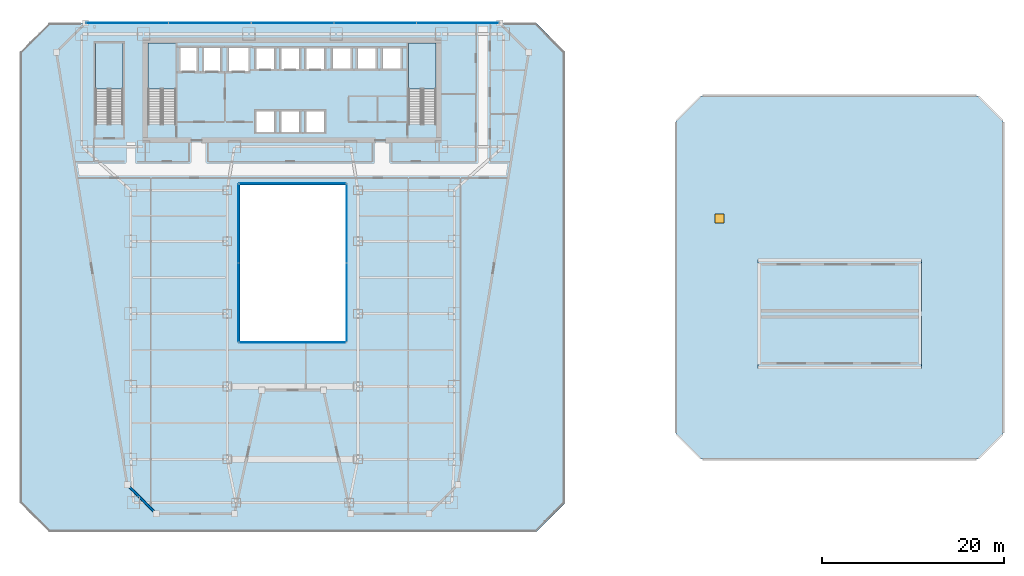
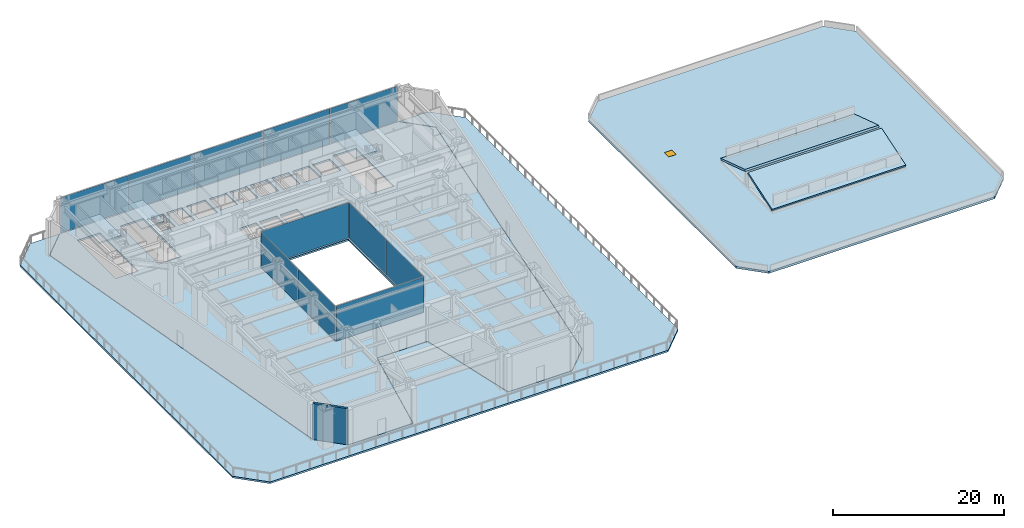
# One storey, part 20 of 29: 11 plates, 8 slabs, 1 wall, 1 window, 1 opening, 8 elements without a shape of their own.
"""IFC4 building model written with IfcOpenShell, lengths in metres."""

from ifc_helpers import new_model, si_unit, direction, frame, frame_2d, origin, origin_2d, place, context, subcontext, project, spatial, polyline, rectangle, outline, extrude, material, layer, layer_set, type_object, element, fill, aggregate, save


model = new_model("IFC4")

# Units and contexts
model_context = context("Model", 3, precision=1e-05, world=origin(), true_north=direction((0.0, 1.0)))
body_context = subcontext(model_context, "Body", "Model", "MODEL_VIEW")
ifc_project = project(units=[si_unit("LENGTHUNIT", "METRE"), si_unit("AREAUNIT", "SQUARE_METRE"), si_unit("VOLUMEUNIT", "CUBIC_METRE"), si_unit("PLANEANGLEUNIT", "RADIAN"), si_unit("MASSUNIT", "GRAM", prefix="KILO")], contexts=[model_context])

# Site, building, storey
site_placement = place(None, origin())
site = spatial("IfcSite", under=ifc_project, at=site_placement, CompositionType="ELEMENT")
building_placement = place(site_placement, origin())
building = spatial("IfcBuilding", under=site, at=building_placement, Name="Saevonmaru Cultural Tower", CompositionType="ELEMENT")
storey_placement = place(building_placement, frame((0.0, 0.0, 27.60009765625)))
storey = spatial("IfcBuildingStorey", under=building, at=storey_placement, Name="L05", CompositionType="ELEMENT", Elevation=27.60009765625)

# Curtain wall, plate
ifc_material_1 = material(Name="Satin Bronze Anodised Aluminium", Category="aluminium")
curtain_wall_type_1 = type_object("IfcCurtainWallType", Name="CW-ATR-GLZ", PredefinedType="NOTDEFINED", material=ifc_material_1)
curtain_wall_1_placement = place(storey_placement, origin())
curtain_wall_1 = element("IfcCurtainWall", 1, at=curtain_wall_1_placement, inside=storey, type_object=curtain_wall_type_1, Name="L05 Vertical Atrium Glazed Smoke Screen 1", PredefinedType="NOTDEFINED")
ifc_material_2 = material(Name="Fire-Rated Laminated Atrium Glass", Category="glass")
ifc_layer_1 = layer(ifc_material_2, 0.031982421875, Name="Fire-Rated Laminated Atrium Glass")
ifc_layer_set_1 = layer_set([ifc_layer_1], Name="Fire-Rated Laminated Atrium Glass")
plate_type_1 = type_object("IfcPlateType", Name="PN-GLZ-ATR-INT", PredefinedType="CURTAIN_PANEL", material=ifc_layer_set_1)
plate_1_placement = place(storey_placement, frame((30.0, 20.85009765625, 0.06689453125), z_axis=(0.0, 0.0, 1.0), x_axis=(1.0, 0.0, 0.0)))
plate_1 = element("IfcPlate", 2, at=plate_1_placement, type_object=plate_type_1, Name="CW-ATR-L05-1 panel 1.1", PredefinedType="CURTAIN_PANEL", context=body_context, shape_type="SweptSolid", body=[
    extrude(rectangle(XDim=11.7109375, YDim=0.031982421875, at=origin_2d()), origin(), (0.0, 0.0, 1.0), 5.01611328125),
])
aggregate(curtain_wall_1, [plate_1])

# Curtain wall, plates
curtain_wall_2_placement = place(storey_placement, origin())
curtain_wall_2 = element("IfcCurtainWall", 3, at=curtain_wall_2_placement, inside=storey, type_object=curtain_wall_type_1, Name="L05 Vertical Atrium Glazed Smoke Screen 2", PredefinedType="NOTDEFINED")
plate_2_placement = place(storey_placement, frame((35.949951171875, 25.2548828125, 0.06689453125), z_axis=(0.0, 0.0, 1.0), x_axis=(0.0, 1.0, 0.0)))
plate_2 = element("IfcPlate", 4, at=plate_2_placement, type_object=plate_type_1, Name="CW-ATR-L05-2 panel 1.1", PredefinedType="CURTAIN_PANEL", context=body_context, shape_type="SweptSolid", body=[
    extrude(rectangle(XDim=8.62109375, YDim=0.031982421875, at=origin_2d()), origin(), (0.0, 0.0, 1.0), 5.01611328125),
])
plate_3_placement = place(storey_placement, frame((35.949951171875, 33.945068359375, 0.06689453125), z_axis=(0.0, 0.0, 1.0), x_axis=(0.0, 1.0, 0.0)))
plate_3 = element("IfcPlate", 5, at=plate_3_placement, type_object=plate_type_1, Name="CW-ATR-L05-2 panel 2.1", PredefinedType="CURTAIN_PANEL", context=body_context, shape_type="SweptSolid", body=[
    extrude(rectangle(XDim=8.62109375, YDim=0.031982421875, at=origin_2d()), origin(), (0.0, 0.0, 1.0), 5.01611328125),
])
aggregate(curtain_wall_2, [plate_2, plate_3])

# Curtain wall, plate
curtain_wall_3_placement = place(storey_placement, origin())
curtain_wall_3 = element("IfcCurtainWall", 6, at=curtain_wall_3_placement, inside=storey, type_object=curtain_wall_type_1, Name="L05 Vertical Atrium Glazed Smoke Screen 3", PredefinedType="NOTDEFINED")
plate_4_placement = place(storey_placement, frame((30.0, 38.35009765625, 0.06689453125), z_axis=(0.0, 0.0, 1.0), x_axis=(-1.0, 0.0, 0.0)))
plate_4 = element("IfcPlate", 7, at=plate_4_placement, type_object=plate_type_1, Name="CW-ATR-L05-3 panel 1.1", PredefinedType="CURTAIN_PANEL", context=body_context, shape_type="SweptSolid", body=[
    extrude(rectangle(XDim=11.7109375, YDim=0.031982421875, at=origin_2d()), origin(), (0.0, 0.0, 1.0), 5.01611328125),
])
aggregate(curtain_wall_3, [plate_4])

# Curtain wall, plates
curtain_wall_4_placement = place(storey_placement, origin())
curtain_wall_4 = element("IfcCurtainWall", 8, at=curtain_wall_4_placement, inside=storey, type_object=curtain_wall_type_1, Name="L05 Vertical Atrium Glazed Smoke Screen 4", PredefinedType="NOTDEFINED")
plate_5_placement = place(storey_placement, frame((24.050048828125, 33.945068359375, 0.06689453125), z_axis=(0.0, 0.0, 1.0), x_axis=(0.0, -1.0, 0.0)))
plate_5 = element("IfcPlate", 9, at=plate_5_placement, type_object=plate_type_1, Name="CW-ATR-L05-4 panel 1.1", PredefinedType="CURTAIN_PANEL", context=body_context, shape_type="SweptSolid", body=[
    extrude(rectangle(XDim=8.62109375, YDim=0.031982421875, at=origin_2d()), origin(), (0.0, 0.0, 1.0), 5.01611328125),
])
plate_6_placement = place(storey_placement, frame((24.050048828125, 25.2548828125, 0.06689453125), z_axis=(0.0, 0.0, 1.0), x_axis=(0.0, -1.0, 0.0)))
plate_6 = element("IfcPlate", 10, at=plate_6_placement, type_object=plate_type_1, Name="CW-ATR-L05-4 panel 2.1", PredefinedType="CURTAIN_PANEL", context=body_context, shape_type="SweptSolid", body=[
    extrude(rectangle(XDim=8.62109375, YDim=0.031982421875, at=origin_2d()), origin(), (0.0, 0.0, 1.0), 5.01611328125),
])
aggregate(curtain_wall_4, [plate_5, plate_6])

curtain_wall_type_2 = type_object("IfcCurtainWallType", Name="CW-SKY-GLZ", PredefinedType="NOTDEFINED", material=ifc_material_1)
curtain_wall_5_placement = place(storey_placement, origin())
curtain_wall_5 = element("IfcCurtainWall", 11, at=curtain_wall_5_placement, inside=storey, type_object=curtain_wall_type_2, Name="L05 Unitised Curtain Wall E10", PredefinedType="NOTDEFINED")
ifc_material_3 = material(Name="Triple Silver Low-E Insulating Glass", Category="glass")
ifc_layer_2 = layer(ifc_material_3, 0.035888671875, Name="Triple Silver Low-E Insulating Glass")
ifc_layer_set_2 = layer_set([ifc_layer_2], Name="Triple Silver Low-E Insulating Glass")
plate_type_2 = type_object("IfcPlateType", Name="PN-GLZ-IGU", PredefinedType="CURTAIN_PANEL", material=ifc_layer_set_2)
plate_7_placement = place(storey_placement, frame((48.19189453125, 56.0, 0.06689453125), z_axis=(0.0, 0.0, 1.0), x_axis=(-1.0, 0.0, 0.0)))
plate_7 = element("IfcPlate", 12, at=plate_7_placement, type_object=plate_type_2, Name="CW-TW-L05-E10 panel 1.1", PredefinedType="CURTAIN_PANEL", context=body_context, shape_type="SweptSolid", body=[
    extrude(rectangle(XDim=9.027099609375, YDim=0.035888671875, at=origin_2d()), origin(), (0.0, 0.0, 1.0), 5.01611328125),
])
plate_8_placement = place(storey_placement, frame((39.095947265625, 56.0, 0.06689453125), z_axis=(0.0, 0.0, 1.0), x_axis=(-1.0, 0.0, 0.0)))
plate_8 = element("IfcPlate", 13, at=plate_8_placement, type_object=plate_type_2, Name="CW-TW-L05-E10 panel 2.1", PredefinedType="CURTAIN_PANEL", context=body_context, shape_type="SweptSolid", body=[
    extrude(rectangle(XDim=9.027099609375, YDim=0.035888671875, at=origin_2d()), origin(), (0.0, 0.0, 1.0), 5.01611328125),
])
plate_9_placement = place(storey_placement, frame((30.0, 56.0, 0.06689453125), z_axis=(0.0, 0.0, 1.0), x_axis=(-1.0, 0.0, 0.0)))
plate_9 = element("IfcPlate", 14, at=plate_9_placement, type_object=plate_type_2, Name="CW-TW-L05-E10 panel 3.1", PredefinedType="CURTAIN_PANEL", context=body_context, shape_type="SweptSolid", body=[
    extrude(rectangle(XDim=9.027099609375, YDim=0.035888671875, at=origin_2d()), origin(), (0.0, 0.0, 1.0), 5.01611328125),
])
plate_10_placement = place(storey_placement, frame((20.904052734375, 56.0, 0.06689453125), z_axis=(0.0, 0.0, 1.0), x_axis=(-1.0, 0.0, 0.0)))
plate_10 = element("IfcPlate", 15, at=plate_10_placement, type_object=plate_type_2, Name="CW-TW-L05-E10 panel 4.1", PredefinedType="CURTAIN_PANEL", context=body_context, shape_type="SweptSolid", body=[
    extrude(rectangle(XDim=9.027099609375, YDim=0.035888671875, at=origin_2d()), origin(), (0.0, 0.0, 1.0), 5.01611328125),
])
plate_11_placement = place(storey_placement, frame((11.80810546875, 56.0, 0.06689453125), z_axis=(0.0, 0.0, 1.0), x_axis=(-1.0, 0.0, 0.0)))
plate_11 = element("IfcPlate", 16, at=plate_11_placement, type_object=plate_type_2, Name="CW-TW-L05-E10 panel 5.1", PredefinedType="CURTAIN_PANEL", context=body_context, shape_type="SweptSolid", body=[
    extrude(rectangle(XDim=9.027099609375, YDim=0.035888671875, at=origin_2d()), origin(), (0.0, 0.0, 1.0), 5.01611328125),
])
aggregate(curtain_wall_5, [plate_7, plate_8, plate_9, plate_10, plate_11])

# Slab
ifc_material_4 = material(Name="Concrete C40/50", Category="concrete")
ifc_layer_3 = layer(ifc_material_4, 0.25, Name="Concrete C40/50")
ifc_layer_set_3 = layer_set([ifc_layer_3], Name="Concrete C40/50")
slab_type_1 = type_object("IfcSlabType", Name="SL-FLR-250", PredefinedType="FLOOR", material=ifc_layer_set_3)
slab_1_placement = place(storey_placement, frame((0.0, 0.0, -0.25)))
element("IfcSlab", 17, at=slab_1_placement, inside=storey, type_object=slab_type_1, Name="L05 Tower Structural Floor Slab", PredefinedType="FLOOR", context=body_context, shape_type="SweptSolid", body=[
    extrude(outline(polyline([(11.800048828125, 5.199951171875), (15.0, 2.0), (23.60009765625, 2.0), (26.60009765625, 15.60009765625), (33.39990234375, 15.60009765625), (36.39990234375, 2.0), (45.0, 2.0), (48.199951171875, 5.199951171875), (56.0, 52.800048828125), (52.800048828125, 56.0), (7.199951171875, 56.0), (4.0, 52.800048828125), (11.800048828125, 5.199951171875)]), holes=[polyline([(45.800048828125, 44.875), (42.75, 44.875), (42.75, 53.800048828125), (45.800048828125, 53.800048828125), (45.800048828125, 44.875)]), polyline([(39.75, 50.800048828125), (39.75, 53.39990234375), (42.050048828125, 53.39990234375), (42.050048828125, 50.800048828125), (39.75, 50.800048828125)]), polyline([(37.0, 50.800048828125), (37.0, 53.39990234375), (39.300048828125, 53.39990234375), (39.300048828125, 50.800048828125), (37.0, 50.800048828125)]), polyline([(34.25, 50.800048828125), (34.25, 53.39990234375), (36.550048828125, 53.39990234375), (36.550048828125, 50.800048828125), (34.25, 50.800048828125)]), polyline([(24.199951171875, 21.0), (24.199951171875, 38.199951171875), (35.800048828125, 38.199951171875), (35.800048828125, 21.0), (24.199951171875, 21.0)]), polyline([(31.35009765625, 50.800048828125), (31.35009765625, 53.39990234375), (33.64990234375, 53.39990234375), (33.64990234375, 50.800048828125), (31.35009765625, 50.800048828125)]), polyline([(31.35009765625, 43.85009765625), (31.35009765625, 46.449951171875), (33.64990234375, 46.449951171875), (33.64990234375, 43.85009765625), (31.35009765625, 43.85009765625)]), polyline([(28.60009765625, 43.85009765625), (28.60009765625, 46.449951171875), (30.89990234375, 46.449951171875), (30.89990234375, 43.85009765625), (28.60009765625, 43.85009765625)]), polyline([(28.60009765625, 50.800048828125), (28.60009765625, 53.39990234375), (30.89990234375, 53.39990234375), (30.89990234375, 50.800048828125), (28.60009765625, 50.800048828125)]), polyline([(25.85009765625, 50.800048828125), (25.85009765625, 53.39990234375), (28.14990234375, 53.39990234375), (28.14990234375, 50.800048828125), (25.85009765625, 50.800048828125)]), polyline([(25.85009765625, 43.85009765625), (25.85009765625, 46.449951171875), (28.14990234375, 46.449951171875), (28.14990234375, 43.85009765625), (25.85009765625, 43.85009765625)]), polyline([(22.800048828125, 50.550048828125), (22.800048828125, 53.449951171875), (25.300048828125, 53.449951171875), (25.300048828125, 50.550048828125), (22.800048828125, 50.550048828125)]), polyline([(20.10009765625, 50.550048828125), (20.10009765625, 53.449951171875), (22.199951171875, 53.449951171875), (22.199951171875, 50.550048828125), (20.10009765625, 50.550048828125)]), polyline([(17.5, 50.550048828125), (17.5, 53.449951171875), (19.60009765625, 53.449951171875), (19.60009765625, 50.550048828125), (17.5, 50.550048828125)]), polyline([(17.14990234375, 44.875), (14.10009765625, 44.875), (14.10009765625, 53.800048828125), (17.14990234375, 53.800048828125), (17.14990234375, 44.875)]), polyline([(11.35009765625, 44.875), (8.300048828125, 44.875), (8.300048828125, 53.800048828125), (11.35009765625, 53.800048828125), (11.35009765625, 44.875)])]), origin(), (0.0, 0.0, 1.0), 0.25),
])

# Slab, opening, window
ifc_layer_4 = layer(ifc_material_4, 0.300048828125, Name="Concrete C40/50")
ifc_layer_set_4 = layer_set([ifc_layer_4], Name="Concrete C40/50")
slab_type_2 = type_object("IfcSlabType", Name="SL-ROOF-300", PredefinedType="ROOF", material=ifc_layer_set_4)
slab_2_placement = place(storey_placement, frame((0.0, 0.0, -0.300048828125)))
slab_2 = element("IfcSlab", 18, at=slab_2_placement, inside=storey, type_object=slab_type_2, Name="L05 Central Library Main Roof Slab", PredefinedType="ROOF", context=body_context, shape_type="SweptSolid", body=[
    extrude(outline(polyline([(72.199951171875, 10.800048828125), (75.0, 8.0), (105.39990234375, 8.0), (108.199951171875, 10.800048828125), (108.199951171875, 45.199951171875), (105.39990234375, 48.0), (75.0, 48.0), (72.199951171875, 45.199951171875), (72.199951171875, 10.800048828125)]), holes=[polyline([(76.5, 34.0), (76.5, 35.0), (77.5, 35.0), (77.5, 34.0), (76.5, 34.0)])]), origin(), (0.0, 0.0, 1.0), 0.300048828125),
])
opening_placement = place(slab_2_placement, frame((77.0, 34.5, 0.0)))
opening = element("IfcOpeningElement", 19, at=opening_placement, cuts=slab_2, Name="Opening RH-1", PredefinedType="OPENING", context=body_context, shape_type="SweptSolid", body=[
    extrude(rectangle(XDim=1.0, YDim=1.0, at=origin_2d()), frame((0.0, 0.0, -0.010009765625)), (0.0, 0.0, 1.0), 0.320068359375),
])
window_type = type_object("IfcWindowType", Name="WN-HATCH-1000", PartitioningType="SINGLE_PANEL", PredefinedType="USERDEFINED", material=ifc_material_1)
window_placement = place(opening_placement, frame((0.0, 0.0, 0.25)))
window = element("IfcWindow", 20, at=window_placement, inside=storey, type_object=window_type, Name="L05 Central Library Roof Maintenance Access Hatch RH-1", ObjectType="ROOF_HATCH", OverallHeight=1.0, OverallWidth=1.0, PartitioningType="SINGLE_PANEL", PredefinedType="USERDEFINED", context=body_context, shape_type="SweptSolid", body=[
    extrude(rectangle(XDim=1.0, YDim=1.0, at=origin_2d()), origin(), (0.0, 0.0, 1.0), 0.050048828125),
])
fill(opening, window)

# Slabs
ifc_layer_5 = layer(ifc_material_4, 0.280029296875, Name="Concrete C40/50")
ifc_layer_set_5 = layer_set([ifc_layer_5], Name="Concrete C40/50")
slab_type_3 = type_object("IfcSlabType", Name="SL-ROOF-SLOPED-280", PredefinedType="ROOF", material=ifc_layer_set_5)
for number, where, z_axis, x_axis, name in (
    (21, (81.199951171875, 18.0, 0.599853515625), (0.0, -0.308150810398, 0.951337520574), (1.0, 0.0, 0.0), "L05 Library Vaulted Clerestory South Sloped Roof"),
    (22, (99.199951171875, 30.0, 0.599853515625), (0.0, 0.308150810398, 0.951337520574), (-1.0, 0.0, 0.0), "L05 Library Vaulted Clerestory North Sloped Roof"),
):
    element("IfcSlab", number, at=place(storey_placement, frame(where, z_axis=z_axis, x_axis=x_axis)), inside=storey, type_object=slab_type_3, Name=name, PredefinedType="ROOF", context=body_context, shape_type="SweptSolid", body=[
        extrude(outline(polyline([(0.0, 0.0), (18.0, 0.0), (18.0, 5.938904144496295), (0.0, 5.938904144496295), (0.0, 0.0)])), origin(), (0.0, 0.0, -1.0), 0.280029296875),
    ])

# Stair, slab
stair_type = type_object("IfcStairType", Name="STR-DOGLEG-RC", PredefinedType="HALF_TURN_STAIR", material=ifc_material_4)
stair_1_placement = place(storey_placement, origin())
stair_1 = element("IfcStair", 23, at=stair_1_placement, inside=storey, type_object=stair_type, Name="L05 Protected exit stair ST-1", PredefinedType="HALF_TURN_STAIR")
ifc_layer_6 = layer(ifc_material_4, 0.199951171875, Name="Concrete C40/50")
ifc_layer_set_6 = layer_set([ifc_layer_6], Name="Concrete C40/50")
slab_type_4 = type_object("IfcSlabType", Name="SL-STAIR-LANDING", PredefinedType="LANDING", material=ifc_layer_set_6)
slab_3_placement = place(storey_placement, frame((0.0, 0.0, 2.5)))
slab_3 = element("IfcSlab", 24, at=slab_3_placement, type_object=slab_type_4, Name="ST-1-L05 landing 1", PredefinedType="LANDING", context=body_context, shape_type="SweptSolid", body=[
    extrude(outline(polyline([(17.14990234375, 48.77001953125), (17.14990234375, 53.800048828125), (14.10009765625, 53.800048828125), (14.10009765625, 48.77001953125), (17.14990234375, 48.77001953125)])), origin(), (0.0, 0.0, 1.0), 0.199951171875),
])
aggregate(stair_1, [slab_3])

stair_2_placement = place(storey_placement, origin())
stair_2 = element("IfcStair", 25, at=stair_2_placement, inside=storey, type_object=stair_type, Name="L05 Protected exit stair ST-2", PredefinedType="HALF_TURN_STAIR")
slab_4_placement = place(storey_placement, frame((0.0, 0.0, 2.5)))
slab_4 = element("IfcSlab", 26, at=slab_4_placement, type_object=slab_type_4, Name="ST-2-L05 landing 1", PredefinedType="LANDING", context=body_context, shape_type="SweptSolid", body=[
    extrude(outline(polyline([(45.800048828125, 48.77001953125), (45.800048828125, 53.800048828125), (42.75, 53.800048828125), (42.75, 48.77001953125), (45.800048828125, 48.77001953125)])), origin(), (0.0, 0.0, 1.0), 0.199951171875),
])
aggregate(stair_2, [slab_4])

stair_3_placement = place(storey_placement, origin())
stair_3 = element("IfcStair", 27, at=stair_3_placement, inside=storey, type_object=stair_type, Name="L05 Protected exit stair ST-3", PredefinedType="HALF_TURN_STAIR")
slab_5_placement = place(storey_placement, frame((0.0, 0.0, 2.5)))
slab_5 = element("IfcSlab", 28, at=slab_5_placement, type_object=slab_type_4, Name="ST-3-L05 landing 1", PredefinedType="LANDING", context=body_context, shape_type="SweptSolid", body=[
    extrude(outline(polyline([(11.35009765625, 48.77001953125), (11.35009765625, 53.800048828125), (8.300048828125, 53.800048828125), (8.300048828125, 48.77001953125), (11.35009765625, 48.77001953125)])), origin(), (0.0, 0.0, 1.0), 0.199951171875),
])
aggregate(stair_3, [slab_5])

# Slab
ifc_layer_7 = layer(ifc_material_4, 0.25, Name="Concrete C40/50")
ifc_layer_set_7 = layer_set([ifc_layer_7], Name="Concrete C40/50")
slab_type_5 = type_object("IfcSlabType", Name="SL-TERR-250", PredefinedType="FLOOR", material=ifc_layer_set_7)
slab_6_placement = place(storey_placement, frame((0.0, 0.0, -0.25)))
element("IfcSlab", 29, at=slab_6_placement, inside=storey, type_object=slab_type_5, Name="L05 Sawtooth Setback Roof Terrace 1", PredefinedType="FLOOR", context=body_context, shape_type="SweptSolid", body=[
    extrude(outline(polyline([(52.828369140625, 56.0), (56.01416015625, 52.814208984375), (56.015380859375, 52.812744140625), (56.0166015625, 52.811279296875), (56.017578125, 52.8095703125), (56.018310546875, 52.807861328125), (56.01904296875, 52.80615234375), (56.01953125, 52.80419921875), (56.02001953125, 52.802490234375), (56.02001953125, 52.800537109375), (56.02001953125, 52.798583984375), (56.019775390625, 52.796875), (48.2197265625, 5.19677734375), (48.21923828125, 5.194580078125), (48.218505859375, 5.19287109375), (48.2177734375, 5.19091796875), (48.216796875, 5.189208984375), (48.215576171875, 5.1875), (48.214111328125, 5.185791015625), (45.01416015625, 1.98583984375), (45.0126953125, 1.984619140625), (45.010986328125, 1.9833984375), (45.009521484375, 1.982421875), (45.0078125, 1.9814453125), (45.005859375, 1.98095703125), (45.00390625, 1.98046875), (45.001953125, 1.97998046875), (45.0, 1.97998046875), (36.39990234375, 1.97998046875), (36.398193359375, 1.97998046875), (36.396240234375, 1.98046875), (36.394287109375, 1.980712890625), (36.392578125, 1.9814453125), (36.390625, 1.982421875), (36.388916015625, 1.9833984375), (36.387451171875, 1.984375), (36.385986328125, 1.985595703125), (36.384765625, 1.987060546875), (36.383544921875, 1.988525390625), (36.382568359375, 1.990234375), (36.381591796875, 1.991943359375), (36.381103515625, 1.993896484375), (36.380615234375, 1.99560546875), (33.3837890625, 15.580078125), (26.6162109375, 15.580078125), (23.619384765625, 1.99560546875), (23.618896484375, 1.993896484375), (23.618408203125, 1.991943359375), (23.617431640625, 1.990234375), (23.616455078125, 1.988525390625), (23.615234375, 1.987060546875), (23.614013671875, 1.985595703125), (23.612548828125, 1.984375), (23.611083984375, 1.9833984375), (23.609375, 1.982421875), (23.607421875, 1.9814453125), (23.605712890625, 1.980712890625), (23.603759765625, 1.98046875), (23.601806640625, 1.97998046875), (23.60009765625, 1.97998046875), (15.0, 1.97998046875), (14.998046875, 1.97998046875), (14.99609375, 1.98046875), (14.994140625, 1.98095703125), (14.9921875, 1.9814453125), (14.990478515625, 1.982421875), (14.989013671875, 1.9833984375), (14.9873046875, 1.984619140625), (14.98583984375, 1.98583984375), (11.785888671875, 5.185791015625), (11.784423828125, 5.1875), (11.783203125, 5.189208984375), (11.7822265625, 5.19091796875), (11.781494140625, 5.19287109375), (11.78076171875, 5.194580078125), (11.7802734375, 5.19677734375), (3.980224609375, 52.796875), (3.97998046875, 52.798583984375), (3.97998046875, 52.800537109375), (3.97998046875, 52.802490234375), (3.98046875, 52.80419921875), (3.98095703125, 52.80615234375), (3.981689453125, 52.807861328125), (3.982421875, 52.8095703125), (3.9833984375, 52.811279296875), (3.984619140625, 52.812744140625), (3.98583984375, 52.814208984375), (7.171630859375, 56.0), (3.199951171875, 56.0), (0.0, 52.800048828125), (0.0, 3.199951171875), (3.199951171875, 0.0), (56.800048828125, 0.0), (60.0, 3.199951171875), (60.0, 52.800048828125), (56.800048828125, 56.0), (52.828369140625, 56.0)])), origin(), (0.0, 0.0, 1.0), 0.25),
])

# Wall
ifc_material_5 = material(Name="Granite-Clad Precast Concrete C40/50", Category="masonry")
ifc_layer_8 = layer(ifc_material_5, 0.280029296875, Name="Granite-Clad Precast Concrete C40/50")
ifc_layer_set_8 = layer_set([ifc_layer_8], Name="Granite-Clad Precast Concrete C40/50")
wall_type = type_object("IfcWallType", Name="WL-EXT-SPANDREL-280", PredefinedType="STANDARD", material=ifc_layer_set_8)
wall_placement = place(storey_placement, frame((11.9130859375, 5.0869140625, 0.0), z_axis=(0.0, 0.0, 1.0), x_axis=(0.707106781187, -0.707106781187, 0.0)))
element("IfcWall", 30, at=wall_placement, inside=storey, type_object=wall_type, Name="L05 Setback Terrace Portal Wall E1", PredefinedType="STANDARD", context=body_context, shape_type="SweptSolid", body=[
    extrude(rectangle(XDim=4.205810546875, YDim=0.280029296875, at=frame_2d((2.10302734375, 0.0))), origin(), (0.0, 0.0, 1.0), 5.14990234375),
])

save(model, "model.ifc")
